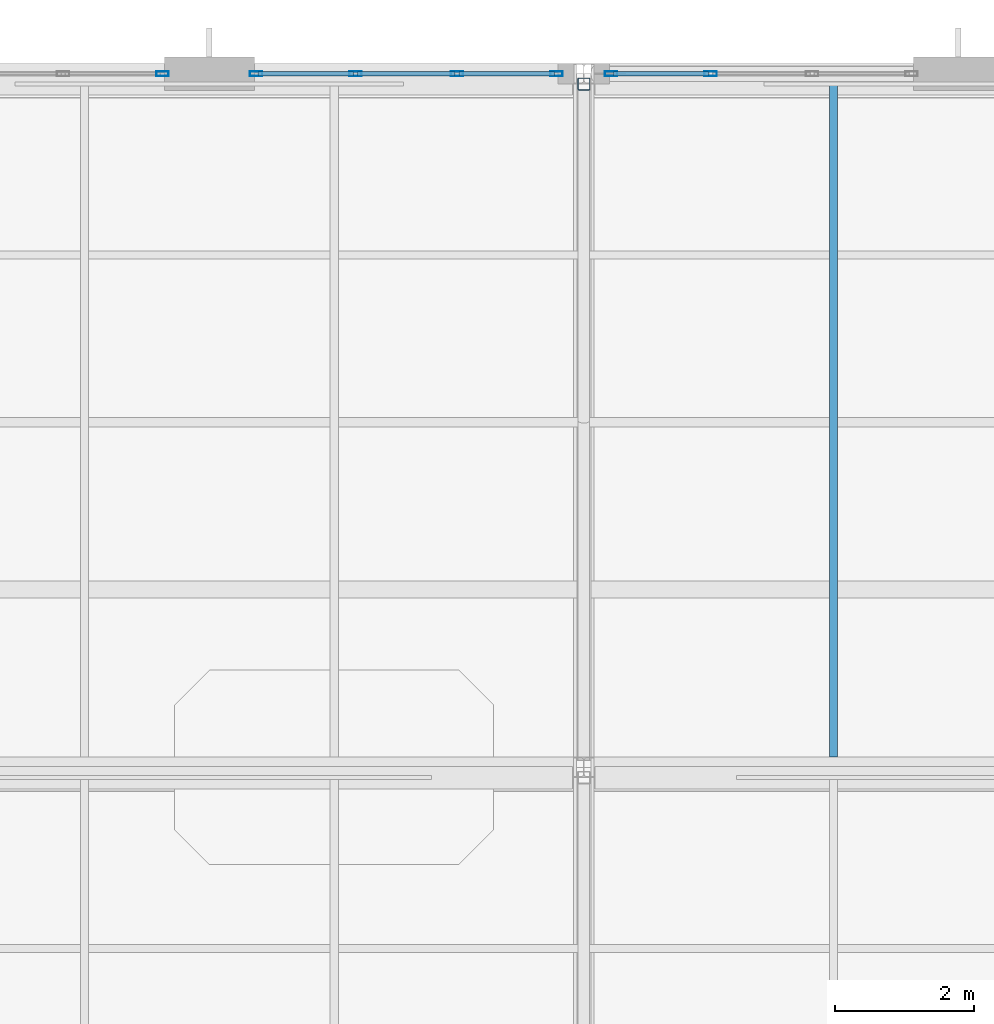
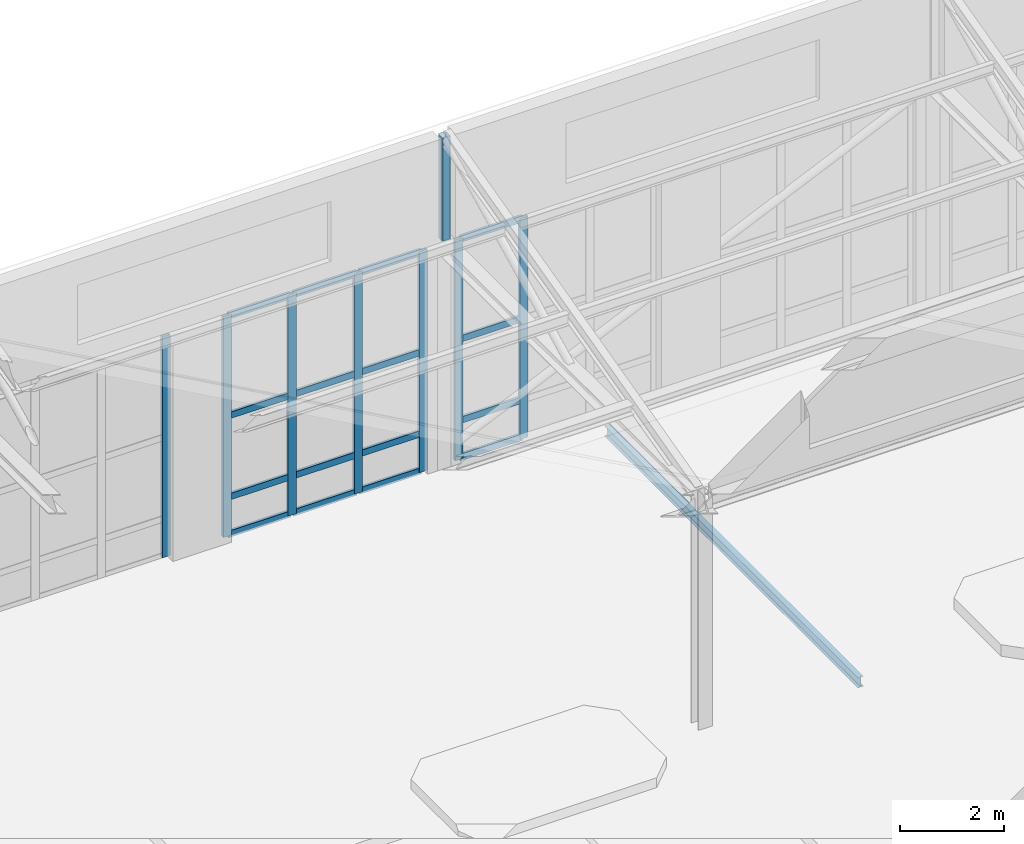
# One storey, part 13 of 49: 24 members, 1 beam, 3 elements without a shape of their own.
"""IFC4 building model written with IfcOpenShell, lengths in metres."""

from ifc_helpers import new_model, si_unit, direction, frame, origin, origin_2d, place, context, subcontext, project, spatial, hollow_rectangle, i_section, extrude, material, layer, layer_set, material_profile, profile_set, type_object, element, aggregate, save


model = new_model("IFC4")

# Units and contexts
model_context = context("Model", 3, precision=1e-05, world=origin(), true_north=direction((0.0, 1.0)))
body_context = subcontext(model_context, "Body", "Model", "MODEL_VIEW")
ifc_project = project(units=[si_unit("LENGTHUNIT", "METRE"), si_unit("AREAUNIT", "SQUARE_METRE"), si_unit("VOLUMEUNIT", "CUBIC_METRE"), si_unit("PLANEANGLEUNIT", "RADIAN"), si_unit("MASSUNIT", "GRAM", prefix="KILO")], contexts=[model_context])

# Site, building, storey
site_placement = place(None, origin())
site = spatial("IfcSite", under=ifc_project, at=site_placement, CompositionType="ELEMENT")
building_placement = place(site_placement, origin())
building = spatial("IfcBuilding", under=site, at=building_placement, Name="Tasgan Crest Museum", CompositionType="ELEMENT")
storey_placement = place(building_placement, frame((0.0, 0.0, 28.800048828125)))
storey = spatial("IfcBuildingStorey", under=building, at=storey_placement, Name="L05", CompositionType="ELEMENT", Elevation=28.800048828125)

# Beam
ifc_material_1 = material(Name="Steel S355J2", Category="steel")
ifc_material_profile_1 = material_profile(ifc_material_1, i_section(OverallWidth=0.1201171875, OverallDepth=0.239990234375, WebThickness=0.006103515625, FlangeThickness=0.009765625, FilletRadius=0.014892578125, at=origin_2d()), Name="IPE 240")
ifc_profile_set_1 = profile_set([ifc_material_profile_1], Name="Steel S355J2")
beam_type = type_object("IfcBeamType", Name="BM-J-IPE240", PredefinedType="JOIST", material=ifc_profile_set_1)
beam_placement = place(storey_placement, frame((25.199951171875, 102.14501953125, -0.360107421875), z_axis=(0.0, 1.0, 0.0), x_axis=(-1.0, 0.0, 0.0)))
element("IfcBeam", 1, at=beam_placement, inside=storey, type_object=beam_type, Name="Secondary joist L05 X=25.2 Y=102.0-112.0", PredefinedType="JOIST", context=body_context, shape_type="SweptSolid", body=[
    extrude(i_section(OverallWidth=0.1201171875, OverallDepth=0.239990234375, WebThickness=0.006103515625, FlangeThickness=0.009765625, FilletRadius=0.014892578125, at=origin_2d()), origin(), (0.0, 0.0, 1.0), 9.7099609375),
])

# Curtain wall, members
ifc_material_2 = material(Name="Triple-Glazed Aluminium Curtain Wall", Category="aluminium")
ifc_layer_1 = layer(ifc_material_2, 0.179931640625, Name="CW-GAL-X-54")
ifc_layer_set_1 = layer_set([ifc_layer_1], Name="Triple-Glazed Aluminium Curtain Wall")
curtain_wall_type_1 = type_object("IfcCurtainWallType", Name="CW-GAL-X-54", PredefinedType="NOTDEFINED", material=ifc_layer_set_1)
curtain_wall_1_placement = place(storey_placement, origin())
curtain_wall_1 = element("IfcCurtainWall", 2, at=curtain_wall_1_placement, inside=storey, type_object=curtain_wall_type_1, Name="Curtain wall L05 208", PredefinedType="NOTDEFINED")
ifc_material_3 = material(Name="Anodised Aluminium", Category="aluminium")
ifc_material_profile_2 = material_profile(ifc_material_3, hollow_rectangle(XDim=0.06494140625, YDim=0.179931640625, WallThickness=0.0048828125, at=origin_2d()), Name="ALU MULLION 180x65x5")
ifc_profile_set_2 = profile_set([ifc_material_profile_2], Name="Anodised Aluminium")
member_type_1 = type_object("IfcMemberType", Name="CW-MULLION-180", PredefinedType="MULLION", material=ifc_profile_set_2)
member_1_placement = place(storey_placement, frame((23.42822265625, 112.0, 0.0), z_axis=(0.0, 0.0, 1.0), x_axis=(0.0, -1.0, 0.0)))
member_1 = element("IfcMember", 3, at=member_1_placement, type_object=member_type_1, Name="CW15 mullion 3", PredefinedType="MULLION", context=body_context, shape_type="SweptSolid", body=[
    extrude(hollow_rectangle(XDim=0.06494140625, YDim=0.179931640625, WallThickness=0.0048828125, at=origin_2d()), origin(), (0.0, 0.0, 1.0), 5.159912109375),
])
member_2_placement = place(storey_placement, frame((21.9951171875, 112.0, 0.0), z_axis=(0.0, 0.0, 1.0), x_axis=(0.0, -1.0, 0.0)))
member_2 = element("IfcMember", 4, at=member_2_placement, type_object=member_type_1, Name="CW15 mullion 4", PredefinedType="MULLION", context=body_context, shape_type="SweptSolid", body=[
    extrude(hollow_rectangle(XDim=0.06494140625, YDim=0.179931640625, WallThickness=0.0048828125, at=origin_2d()), origin(), (0.0, 0.0, 1.0), 5.159912109375),
])

ifc_material_4 = material(Name="Triple-Glazed Aluminium Curtain Wall", Category="aluminium")
ifc_layer_2 = layer(ifc_material_4, 0.179931640625, Name="CW-CORE-STRIP-54")
ifc_layer_set_2 = layer_set([ifc_layer_2], Name="Triple-Glazed Aluminium Curtain Wall")
curtain_wall_type_2 = type_object("IfcCurtainWallType", Name="CW-CORE-STRIP-54", PredefinedType="NOTDEFINED", material=ifc_layer_set_2)
curtain_wall_2_placement = place(storey_placement, origin())
curtain_wall_2 = element("IfcCurtainWall", 5, at=curtain_wall_2_placement, inside=storey, type_object=curtain_wall_type_2, Name="Curtain wall L05 209", PredefinedType="NOTDEFINED")
member_3_placement = place(storey_placement, frame((21.205078125, 112.0, 0.0), z_axis=(0.0, 0.0, 1.0), x_axis=(0.0, -1.0, 0.0)))
member_3 = element("IfcMember", 6, at=member_3_placement, type_object=member_type_1, Name="CW21 mullion 1", PredefinedType="MULLION", context=body_context, shape_type="SweptSolid", body=[
    extrude(hollow_rectangle(XDim=0.06494140625, YDim=0.179931640625, WallThickness=0.0048828125, at=origin_2d()), origin(), (0.0, 0.0, 1.0), 5.159912109375),
])
member_4_placement = place(storey_placement, frame((19.771728515625, 112.0, 0.0), z_axis=(0.0, 0.0, 1.0), x_axis=(0.0, -1.0, 0.0)))
member_4 = element("IfcMember", 7, at=member_4_placement, type_object=member_type_1, Name="CW21 mullion 2", PredefinedType="MULLION", context=body_context, shape_type="SweptSolid", body=[
    extrude(hollow_rectangle(XDim=0.06494140625, YDim=0.179931640625, WallThickness=0.0048828125, at=origin_2d()), origin(), (0.0, 0.0, 1.0), 5.159912109375),
])
member_5_placement = place(storey_placement, frame((18.308349609375, 112.0, 0.0), z_axis=(0.0, 0.0, 1.0), x_axis=(0.0, -1.0, 0.0)))
member_5 = element("IfcMember", 8, at=member_5_placement, type_object=member_type_1, Name="CW21 mullion 3", PredefinedType="MULLION", context=body_context, shape_type="SweptSolid", body=[
    extrude(hollow_rectangle(XDim=0.06494140625, YDim=0.179931640625, WallThickness=0.0048828125, at=origin_2d()), origin(), (0.0, 0.0, 1.0), 5.159912109375),
])
member_6_placement = place(storey_placement, frame((16.875, 112.0, 0.0), z_axis=(0.0, 0.0, 1.0), x_axis=(0.0, -1.0, 0.0)))
member_6 = element("IfcMember", 9, at=member_6_placement, type_object=member_type_1, Name="CW21 mullion 4", PredefinedType="MULLION", context=body_context, shape_type="SweptSolid", body=[
    extrude(hollow_rectangle(XDim=0.06494140625, YDim=0.179931640625, WallThickness=0.0048828125, at=origin_2d()), origin(), (0.0, 0.0, 1.0), 5.159912109375),
])

# Curtain wall, member
curtain_wall_3_placement = place(storey_placement, origin())
curtain_wall_3 = element("IfcCurtainWall", 10, at=curtain_wall_3_placement, inside=storey, type_object=curtain_wall_type_2, Name="Curtain wall L05 210", PredefinedType="NOTDEFINED")
member_7_placement = place(storey_placement, frame((15.52490234375, 112.0, 0.0), z_axis=(0.0, 0.0, 1.0), x_axis=(0.0, -1.0, 0.0)))
member_7 = element("IfcMember", 11, at=member_7_placement, type_object=member_type_1, Name="CW21 mullion 1", PredefinedType="MULLION", context=body_context, shape_type="SweptSolid", body=[
    extrude(hollow_rectangle(XDim=0.06494140625, YDim=0.179931640625, WallThickness=0.0048828125, at=origin_2d()), origin(), (0.0, 0.0, 1.0), 5.159912109375),
])
aggregate(curtain_wall_3, [member_7])

# Member
ifc_material_5 = material(Name="Anodised Aluminium", Category="aluminium")
ifc_material_profile_3 = material_profile(ifc_material_5, hollow_rectangle(XDim=0.06005859375, YDim=0.14990234375, WallThickness=0.0048828125, at=origin_2d()), Name="ALU TRANSOM 150x60x5")
ifc_profile_set_3 = profile_set([ifc_material_profile_3], Name="Anodised Aluminium")
member_type_2 = type_object("IfcMemberType", Name="CW-TRANSOM-150", PredefinedType="USERDEFINED", material=ifc_profile_set_3)
member_8_placement = place(storey_placement, frame((23.3984375, 112.0, 0.030029296875), z_axis=(-1.0, 0.0, 0.0), x_axis=(0.0, -1.0, 0.0)))
member_8 = element("IfcMember", 12, at=member_8_placement, type_object=member_type_2, Name="CW15 transom 3.1", ObjectType="TRANSOM", PredefinedType="USERDEFINED", context=body_context, shape_type="SweptSolid", body=[
    extrude(hollow_rectangle(XDim=0.06005859375, YDim=0.14990234375, WallThickness=0.0048828125, at=origin_2d()), origin(), (0.0, 0.0, 1.0), 1.37353515625),
])

member_9_placement = place(storey_placement, frame((23.3984375, 112.0, 0.89990234375), z_axis=(-1.0, 0.0, 0.0), x_axis=(0.0, -1.0, 0.0)))
member_9 = element("IfcMember", 13, at=member_9_placement, type_object=member_type_2, Name="CW15 transom 3.2", ObjectType="TRANSOM", PredefinedType="USERDEFINED", context=body_context, shape_type="SweptSolid", body=[
    extrude(hollow_rectangle(XDim=0.06005859375, YDim=0.14990234375, WallThickness=0.0048828125, at=origin_2d()), origin(), (0.0, 0.0, 1.0), 1.37353515625),
])

member_10_placement = place(storey_placement, frame((23.3984375, 112.0, 2.800048828125), z_axis=(-1.0, 0.0, 0.0), x_axis=(0.0, -1.0, 0.0)))
member_10 = element("IfcMember", 14, at=member_10_placement, type_object=member_type_2, Name="CW15 transom 3.3", ObjectType="TRANSOM", PredefinedType="USERDEFINED", context=body_context, shape_type="SweptSolid", body=[
    extrude(hollow_rectangle(XDim=0.06005859375, YDim=0.14990234375, WallThickness=0.0048828125, at=origin_2d()), origin(), (0.0, 0.0, 1.0), 1.37353515625),
])

member_11_placement = place(storey_placement, frame((23.3984375, 112.0, 5.1298828125), z_axis=(-1.0, 0.0, 0.0), x_axis=(0.0, -1.0, 0.0)))
member_11 = element("IfcMember", 15, at=member_11_placement, type_object=member_type_2, Name="CW15 transom 3.4", ObjectType="TRANSOM", PredefinedType="USERDEFINED", context=body_context, shape_type="SweptSolid", body=[
    extrude(hollow_rectangle(XDim=0.06005859375, YDim=0.14990234375, WallThickness=0.0048828125, at=origin_2d()), origin(), (0.0, 0.0, 1.0), 1.37353515625),
])

aggregate(curtain_wall_1, [member_1, member_2, member_8, member_9, member_10, member_11])

member_12_placement = place(storey_placement, frame((21.175048828125, 112.0, 0.030029296875), z_axis=(-1.0, 0.0, 0.0), x_axis=(0.0, -1.0, 0.0)))
member_12 = element("IfcMember", 16, at=member_12_placement, type_object=member_type_2, Name="CW21 transom 1.1", ObjectType="TRANSOM", PredefinedType="USERDEFINED", context=body_context, shape_type="SweptSolid", body=[
    extrude(hollow_rectangle(XDim=0.06005859375, YDim=0.14990234375, WallThickness=0.0048828125, at=origin_2d()), origin(), (0.0, 0.0, 1.0), 1.373291015625),
])

member_13_placement = place(storey_placement, frame((21.175048828125, 112.0, 0.89990234375), z_axis=(-1.0, 0.0, 0.0), x_axis=(0.0, -1.0, 0.0)))
member_13 = element("IfcMember", 17, at=member_13_placement, type_object=member_type_2, Name="CW21 transom 1.2", ObjectType="TRANSOM", PredefinedType="USERDEFINED", context=body_context, shape_type="SweptSolid", body=[
    extrude(hollow_rectangle(XDim=0.06005859375, YDim=0.14990234375, WallThickness=0.0048828125, at=origin_2d()), origin(), (0.0, 0.0, 1.0), 1.373291015625),
])

member_14_placement = place(storey_placement, frame((21.175048828125, 112.0, 2.800048828125), z_axis=(-1.0, 0.0, 0.0), x_axis=(0.0, -1.0, 0.0)))
member_14 = element("IfcMember", 18, at=member_14_placement, type_object=member_type_2, Name="CW21 transom 1.3", ObjectType="TRANSOM", PredefinedType="USERDEFINED", context=body_context, shape_type="SweptSolid", body=[
    extrude(hollow_rectangle(XDim=0.06005859375, YDim=0.14990234375, WallThickness=0.0048828125, at=origin_2d()), origin(), (0.0, 0.0, 1.0), 1.373291015625),
])

member_15_placement = place(storey_placement, frame((21.175048828125, 112.0, 5.1298828125), z_axis=(-1.0, 0.0, 0.0), x_axis=(0.0, -1.0, 0.0)))
member_15 = element("IfcMember", 19, at=member_15_placement, type_object=member_type_2, Name="CW21 transom 1.4", ObjectType="TRANSOM", PredefinedType="USERDEFINED", context=body_context, shape_type="SweptSolid", body=[
    extrude(hollow_rectangle(XDim=0.06005859375, YDim=0.14990234375, WallThickness=0.0048828125, at=origin_2d()), origin(), (0.0, 0.0, 1.0), 1.373291015625),
])

member_16_placement = place(storey_placement, frame((19.74169921875, 112.0, 0.030029296875), z_axis=(-1.0, 0.0, 0.0), x_axis=(0.0, -1.0, 0.0)))
member_16 = element("IfcMember", 20, at=member_16_placement, type_object=member_type_2, Name="CW21 transom 2.1", ObjectType="TRANSOM", PredefinedType="USERDEFINED", context=body_context, shape_type="SweptSolid", body=[
    extrude(hollow_rectangle(XDim=0.06005859375, YDim=0.14990234375, WallThickness=0.0048828125, at=origin_2d()), origin(), (0.0, 0.0, 1.0), 1.4033203125),
])

member_17_placement = place(storey_placement, frame((19.74169921875, 112.0, 0.89990234375), z_axis=(-1.0, 0.0, 0.0), x_axis=(0.0, -1.0, 0.0)))
member_17 = element("IfcMember", 21, at=member_17_placement, type_object=member_type_2, Name="CW21 transom 2.2", ObjectType="TRANSOM", PredefinedType="USERDEFINED", context=body_context, shape_type="SweptSolid", body=[
    extrude(hollow_rectangle(XDim=0.06005859375, YDim=0.14990234375, WallThickness=0.0048828125, at=origin_2d()), origin(), (0.0, 0.0, 1.0), 1.4033203125),
])

member_18_placement = place(storey_placement, frame((19.74169921875, 112.0, 2.800048828125), z_axis=(-1.0, 0.0, 0.0), x_axis=(0.0, -1.0, 0.0)))
member_18 = element("IfcMember", 22, at=member_18_placement, type_object=member_type_2, Name="CW21 transom 2.3", ObjectType="TRANSOM", PredefinedType="USERDEFINED", context=body_context, shape_type="SweptSolid", body=[
    extrude(hollow_rectangle(XDim=0.06005859375, YDim=0.14990234375, WallThickness=0.0048828125, at=origin_2d()), origin(), (0.0, 0.0, 1.0), 1.4033203125),
])

member_19_placement = place(storey_placement, frame((19.74169921875, 112.0, 5.1298828125), z_axis=(-1.0, 0.0, 0.0), x_axis=(0.0, -1.0, 0.0)))
member_19 = element("IfcMember", 23, at=member_19_placement, type_object=member_type_2, Name="CW21 transom 2.4", ObjectType="TRANSOM", PredefinedType="USERDEFINED", context=body_context, shape_type="SweptSolid", body=[
    extrude(hollow_rectangle(XDim=0.06005859375, YDim=0.14990234375, WallThickness=0.0048828125, at=origin_2d()), origin(), (0.0, 0.0, 1.0), 1.4033203125),
])

member_20_placement = place(storey_placement, frame((18.2783203125, 112.0, 0.030029296875), z_axis=(-1.0, 0.0, 0.0), x_axis=(0.0, -1.0, 0.0)))
member_20 = element("IfcMember", 24, at=member_20_placement, type_object=member_type_2, Name="CW21 transom 3.1", ObjectType="TRANSOM", PredefinedType="USERDEFINED", context=body_context, shape_type="SweptSolid", body=[
    extrude(hollow_rectangle(XDim=0.06005859375, YDim=0.14990234375, WallThickness=0.0048828125, at=origin_2d()), origin(), (0.0, 0.0, 1.0), 1.373291015625),
])

member_21_placement = place(storey_placement, frame((18.2783203125, 112.0, 0.89990234375), z_axis=(-1.0, 0.0, 0.0), x_axis=(0.0, -1.0, 0.0)))
member_21 = element("IfcMember", 25, at=member_21_placement, type_object=member_type_2, Name="CW21 transom 3.2", ObjectType="TRANSOM", PredefinedType="USERDEFINED", context=body_context, shape_type="SweptSolid", body=[
    extrude(hollow_rectangle(XDim=0.06005859375, YDim=0.14990234375, WallThickness=0.0048828125, at=origin_2d()), origin(), (0.0, 0.0, 1.0), 1.373291015625),
])

member_22_placement = place(storey_placement, frame((18.2783203125, 112.0, 2.800048828125), z_axis=(-1.0, 0.0, 0.0), x_axis=(0.0, -1.0, 0.0)))
member_22 = element("IfcMember", 26, at=member_22_placement, type_object=member_type_2, Name="CW21 transom 3.3", ObjectType="TRANSOM", PredefinedType="USERDEFINED", context=body_context, shape_type="SweptSolid", body=[
    extrude(hollow_rectangle(XDim=0.06005859375, YDim=0.14990234375, WallThickness=0.0048828125, at=origin_2d()), origin(), (0.0, 0.0, 1.0), 1.373291015625),
])

member_23_placement = place(storey_placement, frame((18.2783203125, 112.0, 5.1298828125), z_axis=(-1.0, 0.0, 0.0), x_axis=(0.0, -1.0, 0.0)))
member_23 = element("IfcMember", 27, at=member_23_placement, type_object=member_type_2, Name="CW21 transom 3.4", ObjectType="TRANSOM", PredefinedType="USERDEFINED", context=body_context, shape_type="SweptSolid", body=[
    extrude(hollow_rectangle(XDim=0.06005859375, YDim=0.14990234375, WallThickness=0.0048828125, at=origin_2d()), origin(), (0.0, 0.0, 1.0), 1.373291015625),
])

aggregate(curtain_wall_2, [member_3, member_4, member_5, member_6, member_12, member_13, member_14, member_15, member_16, member_17, member_18, member_19, member_20, member_21, member_22, member_23])

ifc_material_6 = material(Name="Steel S355K2", Category="steel")
ifc_material_profile_4 = material_profile(ifc_material_6, hollow_rectangle(XDim=0.179931640625, YDim=0.179931640625, WallThickness=0.010009765625, InnerFilletRadius=0.010009765625, OuterFilletRadius=0.02001953125, at=origin_2d()), Name="SHS 180x180x10")
ifc_profile_set_4 = profile_set([ifc_material_profile_4], Name="Steel S355K2")
member_type_3 = type_object("IfcMemberType", Name="TR-SAW-POST", PredefinedType="POST", material=ifc_profile_set_4)
member_24_placement = place(storey_placement, frame((21.60009765625, 111.85009765625, 5.389892578125), z_axis=(0.0, 0.0, 1.0), x_axis=(1.0, 0.0, 0.0)))
element("IfcMember", 28, at=member_24_placement, inside=storey, type_object=member_type_3, Name="Roof truss north post B3 3", PredefinedType="POST", context=body_context, shape_type="SweptSolid", body=[
    extrude(hollow_rectangle(XDim=0.179931640625, YDim=0.179931640625, WallThickness=0.010009765625, InnerFilletRadius=0.010009765625, OuterFilletRadius=0.02001953125, at=origin_2d()), origin(), (0.0, 0.0, 1.0), 2.41015625),
])

save(model, "model.ifc")
